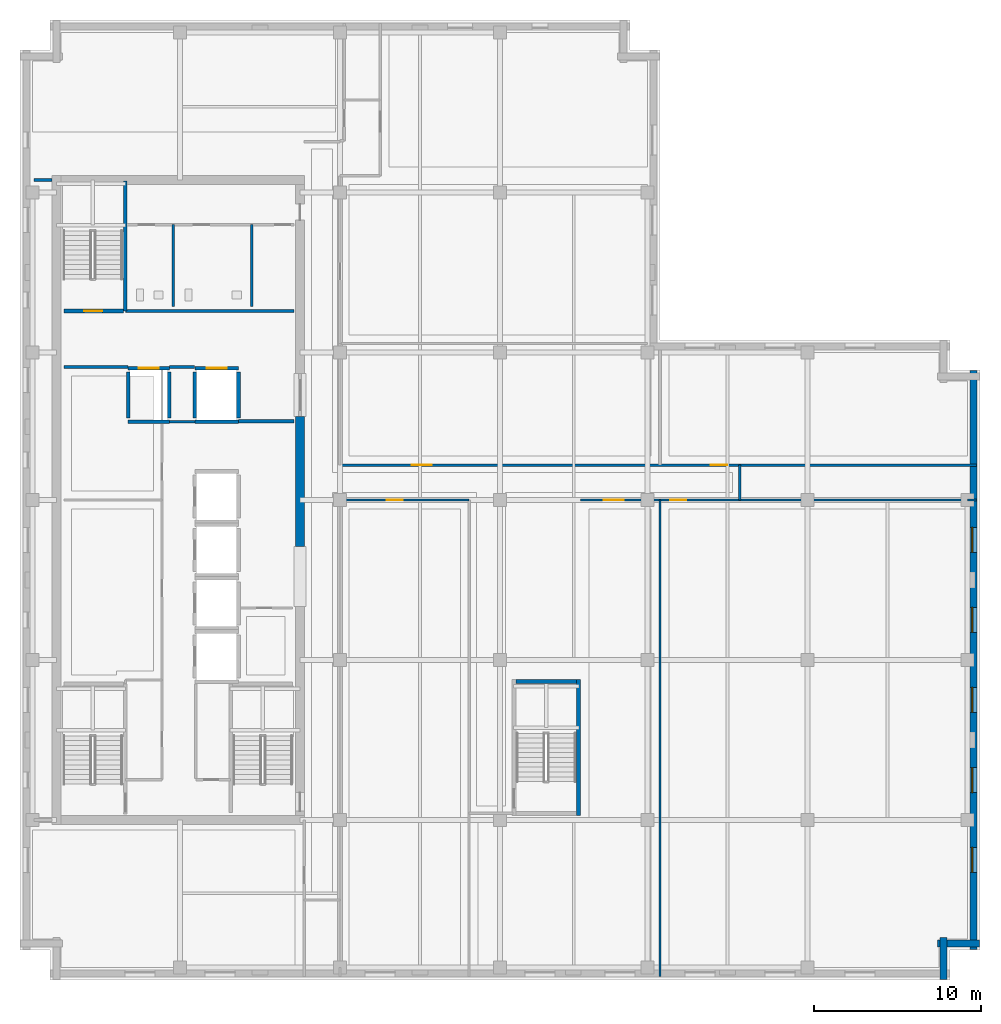
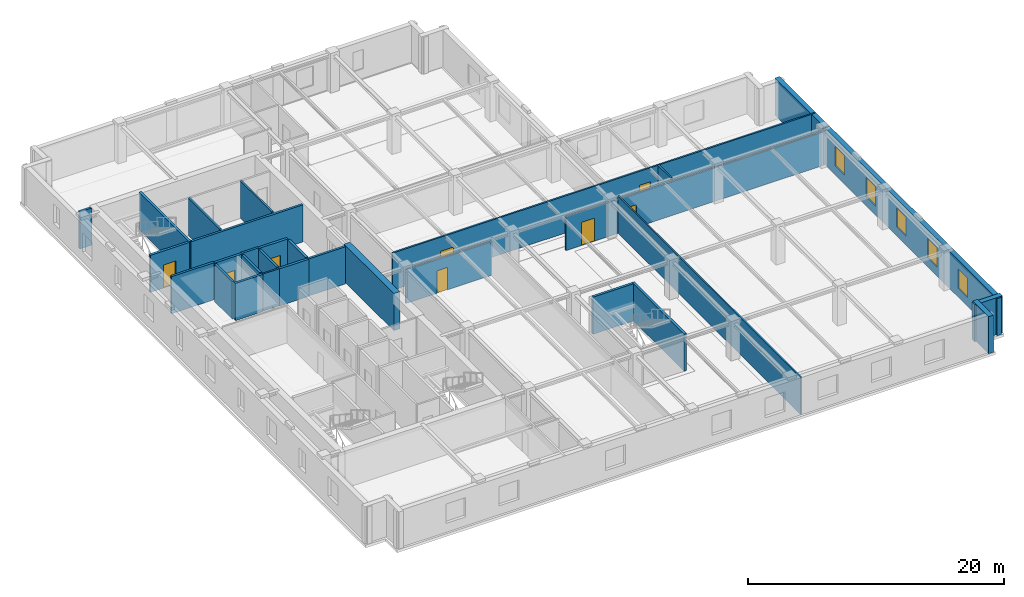
# One storey, part 5 of 12: 30 walls, 8 doors, 5 windows, 13 openings.
"""IFC4 building model written with IfcOpenShell, lengths in metres."""

from ifc_helpers import new_model, si_unit, direction, frame, frame_2d, origin, place, context, subcontext, project, spatial, rectangle, extrude, material, layer, layer_set, type_object, element, fill, save


model = new_model("IFC4")

# Units and contexts
model_context = context("Model", 3, precision=1e-05, world=origin(), true_north=direction((0.0, 1.0)))
body_context = subcontext(model_context, "Body", "Model", "MODEL_VIEW")
ifc_project = project(units=[si_unit("LENGTHUNIT", "METRE"), si_unit("AREAUNIT", "SQUARE_METRE"), si_unit("VOLUMEUNIT", "CUBIC_METRE"), si_unit("PLANEANGLEUNIT", "RADIAN"), si_unit("MASSUNIT", "GRAM", prefix="KILO")], contexts=[model_context])

# Site, building, storey
site_placement = place(None, origin())
site = spatial("IfcSite", under=ifc_project, at=site_placement, CompositionType="ELEMENT")
building_placement = place(site_placement, origin())
building = spatial("IfcBuilding", under=site, at=building_placement, Name="Norrvale University Quadrangle", CompositionType="ELEMENT")
storey_placement = place(building_placement, frame((0.0, 0.0, 240.800048828125)))
storey = spatial("IfcBuildingStorey", under=building, at=storey_placement, Name="L61", CompositionType="ELEMENT", Elevation=240.800048828125)

# Walls
ifc_material_1 = material(Name="Buff Norman Clay Brick Masonry", Category="masonry")
ifc_layer_1 = layer(ifc_material_1, 0.419921875, Name="Buff Norman Clay Brick Masonry")
ifc_layer_set_1 = layer_set([ifc_layer_1], Name="Buff Norman Clay Brick Masonry")
wall_type_1 = type_object("IfcWallType", Name="Wall Buff Brick 420", PredefinedType="SOLIDWALL", material=ifc_layer_set_1)
for number, where, z_axis, x_axis, name in (
    (1, (55.409912109375, 0.0400390625, 0.0), (0.0, 0.0, 1.0), (0.0, 1.0, 0.0), "Exterior Brick Facade Wall L61-02.1"),
    (2, (55.06005859375, 2.18994140625, 0.0), (0.0, 0.0, 1.0), (1.0, 0.0, 0.0), "Exterior Brick Facade Wall L61-03.1"),
):
    element("IfcWall", number, at=place(storey_placement, frame(where, z_axis=z_axis, x_axis=x_axis)), inside=storey, type_object=wall_type_1, Name=name, PredefinedType="SOLIDWALL", context=body_context, shape_type="SweptSolid", body=[
        extrude(rectangle(XDim=2.5, YDim=0.419921875, at=frame_2d((1.25, 0.0))), origin(), (0.0, 0.0, 1.0), 3.5400390625),
    ])

# Wall, openings, windows
wall_1_placement = place(storey_placement, frame((57.2099609375, 1.840087890625, 0.0), z_axis=(0.0, 0.0, 1.0), x_axis=(0.0, 1.0, 0.0)))
wall_1 = element("IfcWall", 3, at=wall_1_placement, inside=storey, type_object=wall_type_1, Name="Exterior Brick Facade Wall L61-04.1", PredefinedType="SOLIDWALL", context=body_context, shape_type="SweptSolid", body=[
    extrude(rectangle(XDim=34.719970703125, YDim=0.419921875, at=frame_2d((17.35986328125, 0.0))), origin(), (0.0, 0.0, 1.0), 3.5400390625),
])
opening_1_placement = place(wall_1_placement, frame((4.610107421875, 0.0, 0.85009765625)))
opening_1 = element("IfcOpeningElement", 4, at=opening_1_placement, cuts=wall_1, Name="Opening W03", PredefinedType="OPENING", context=body_context, shape_type="SweptSolid", body=[
    extrude(rectangle(XDim=1.5, YDim=1.85009765625, at=frame_2d((0.75, 0.925048828125))), frame((0.0, 0.221923828125, 0.0), z_axis=(0.0, -1.0, 0.0), x_axis=(1.0, 0.0, 0.0)), (0.0, 0.0, 1.0), 0.44384765625),
])
opening_2_placement = place(wall_1_placement, frame((9.409912109375, 0.0, 0.85009765625)))
opening_2 = element("IfcOpeningElement", 5, at=opening_2_placement, cuts=wall_1, Name="Opening W03", PredefinedType="OPENING", context=body_context, shape_type="SweptSolid", body=[
    extrude(rectangle(XDim=1.5, YDim=1.85009765625, at=frame_2d((0.75, 0.925048828125))), frame((0.0, 0.221923828125, 0.0), z_axis=(0.0, -1.0, 0.0), x_axis=(1.0, 0.0, 0.0)), (0.0, 0.0, 1.0), 0.44384765625),
])
opening_3_placement = place(wall_1_placement, frame((14.2099609375, 0.0, 0.85009765625)))
opening_3 = element("IfcOpeningElement", 6, at=opening_3_placement, cuts=wall_1, Name="Opening W03", PredefinedType="OPENING", context=body_context, shape_type="SweptSolid", body=[
    extrude(rectangle(XDim=1.5, YDim=1.85009765625, at=frame_2d((0.75, 0.925048828125))), frame((0.0, 0.221923828125, 0.0), z_axis=(0.0, -1.0, 0.0), x_axis=(1.0, 0.0, 0.0)), (0.0, 0.0, 1.0), 0.44384765625),
])
opening_4_placement = place(wall_1_placement, frame((19.010009765625, 0.0, 0.85009765625)))
opening_4 = element("IfcOpeningElement", 7, at=opening_4_placement, cuts=wall_1, Name="Opening W03", PredefinedType="OPENING", context=body_context, shape_type="SweptSolid", body=[
    extrude(rectangle(XDim=1.5, YDim=1.85009765625, at=frame_2d((0.75, 0.925048828125))), frame((0.0, 0.221923828125, 0.0), z_axis=(0.0, -1.0, 0.0), x_axis=(1.0, 0.0, 0.0)), (0.0, 0.0, 1.0), 0.44384765625),
])
opening_5_placement = place(wall_1_placement, frame((23.81005859375, 0.0, 0.85009765625)))
opening_5 = element("IfcOpeningElement", 8, at=opening_5_placement, cuts=wall_1, Name="Opening W03", PredefinedType="OPENING", context=body_context, shape_type="SweptSolid", body=[
    extrude(rectangle(XDim=1.5, YDim=1.85009765625, at=frame_2d((0.75, 0.925048828125))), frame((0.0, 0.221923828125, 0.0), z_axis=(0.0, -1.0, 0.0), x_axis=(1.0, 0.0, 0.0)), (0.0, 0.0, 1.0), 0.44384765625),
])
ifc_material_2 = material(Name="Triple Low-E Argon Glazing", Category="glass")
window_type = type_object("IfcWindowType", Name="Window Studio 1500x2300", PartitioningType="DOUBLE_PANEL_VERTICAL", PredefinedType="WINDOW", material=ifc_material_2)
window_1_placement = place(opening_1_placement, origin())
window_1 = element("IfcWindow", 9, at=window_1_placement, inside=storey, type_object=window_type, Name="Window Studio 1500x2300 WIN-L61-E04-1-01", OverallHeight=1.85009765625, OverallWidth=1.5, PartitioningType="DOUBLE_PANEL_VERTICAL", PredefinedType="WINDOW", context=body_context, shape_type="SweptSolid", body=[
    extrude(rectangle(XDim=1.5, YDim=1.85009765625, at=frame_2d((0.75, 0.925048828125))), frame((0.0, 0.110107421875, 0.0), z_axis=(0.0, -1.0, 0.0), x_axis=(1.0, 0.0, 0.0)), (0.0, 0.0, 1.0), 0.06005859375),
])
fill(opening_1, window_1)
window_2_placement = place(opening_2_placement, origin())
window_2 = element("IfcWindow", 10, at=window_2_placement, inside=storey, type_object=window_type, Name="Window Studio 1500x2300 WIN-L61-E04-1-02", OverallHeight=1.85009765625, OverallWidth=1.5, PartitioningType="DOUBLE_PANEL_VERTICAL", PredefinedType="WINDOW", context=body_context, shape_type="SweptSolid", body=[
    extrude(rectangle(XDim=1.5, YDim=1.85009765625, at=frame_2d((0.75, 0.925048828125))), frame((0.0, 0.110107421875, 0.0), z_axis=(0.0, -1.0, 0.0), x_axis=(1.0, 0.0, 0.0)), (0.0, 0.0, 1.0), 0.06005859375),
])
fill(opening_2, window_2)
window_3_placement = place(opening_3_placement, origin())
window_3 = element("IfcWindow", 11, at=window_3_placement, inside=storey, type_object=window_type, Name="Window Studio 1500x2300 WIN-L61-E04-1-03", OverallHeight=1.85009765625, OverallWidth=1.5, PartitioningType="DOUBLE_PANEL_VERTICAL", PredefinedType="WINDOW", context=body_context, shape_type="SweptSolid", body=[
    extrude(rectangle(XDim=1.5, YDim=1.85009765625, at=frame_2d((0.75, 0.925048828125))), frame((0.0, 0.110107421875, 0.0), z_axis=(0.0, -1.0, 0.0), x_axis=(1.0, 0.0, 0.0)), (0.0, 0.0, 1.0), 0.06005859375),
])
fill(opening_3, window_3)
window_4_placement = place(opening_4_placement, origin())
window_4 = element("IfcWindow", 12, at=window_4_placement, inside=storey, type_object=window_type, Name="Window Studio 1500x2300 WIN-L61-E04-1-04", OverallHeight=1.85009765625, OverallWidth=1.5, PartitioningType="DOUBLE_PANEL_VERTICAL", PredefinedType="WINDOW", context=body_context, shape_type="SweptSolid", body=[
    extrude(rectangle(XDim=1.5, YDim=1.85009765625, at=frame_2d((0.75, 0.925048828125))), frame((0.0, 0.110107421875, 0.0), z_axis=(0.0, -1.0, 0.0), x_axis=(1.0, 0.0, 0.0)), (0.0, 0.0, 1.0), 0.06005859375),
])
fill(opening_4, window_4)
window_5_placement = place(opening_5_placement, origin())
window_5 = element("IfcWindow", 13, at=window_5_placement, inside=storey, type_object=window_type, Name="Window Studio 1500x2300 WIN-L61-E04-1-05", OverallHeight=1.85009765625, OverallWidth=1.5, PartitioningType="DOUBLE_PANEL_VERTICAL", PredefinedType="WINDOW", context=body_context, shape_type="SweptSolid", body=[
    extrude(rectangle(XDim=1.5, YDim=1.85009765625, at=frame_2d((0.75, 0.925048828125))), frame((0.0, 0.110107421875, 0.0), z_axis=(0.0, -1.0, 0.0), x_axis=(1.0, 0.0, 0.0)), (0.0, 0.0, 1.0), 0.06005859375),
])
fill(opening_5, window_5)

# Walls
ifc_material_3 = material(Name="Concrete C60/75", Category="concrete")
ifc_layer_2 = layer(ifc_material_3, 0.550048828125, Name="Concrete C60/75")
ifc_layer_set_2 = layer_set([ifc_layer_2], Name="Concrete C60/75")
wall_type_2 = type_object("IfcWallType", Name="Wall Core 550", PredefinedType="SHEAR", material=ifc_layer_set_2)
wall_2_placement = place(storey_placement, frame((16.800048828125, 26.0, 0.0), z_axis=(0.0, 0.0, 1.0), x_axis=(0.0, 1.0, 0.0)))
element("IfcWall", 14, at=wall_2_placement, inside=storey, type_object=wall_type_2, Name="Tower Core Shear Wall L61-E2", PredefinedType="SHEAR", context=body_context, shape_type="SweptSolid", body=[
    extrude(rectangle(XDim=7.800048828125, YDim=0.550048828125, at=frame_2d((3.89990234375, 0.0))), origin(), (0.0, 0.0, 1.0), 3.5400390625),
])
ifc_material_4 = material(Name="Standard Academic Gypsum Partition")
ifc_layer_3 = layer(ifc_material_4, 0.125, Name="Standard Academic Gypsum Partition")
ifc_layer_set_3 = layer_set([ifc_layer_3], Name="Standard Academic Gypsum Partition")
wall_type_3 = type_object("IfcWallType", Name="Wall Gypsum Academic 125", PredefinedType="PARTITIONING", material=ifc_layer_set_3)
wall_3_placement = place(storey_placement, frame((38.39990234375, 0.219970703125, 0.0), z_axis=(0.0, 0.0, 1.0), x_axis=(0.0, 1.0, 0.0)))
element("IfcWall", 15, at=wall_3_placement, inside=storey, type_object=wall_type_3, Name="Interior Partition WL-L61-SEP2", PredefinedType="PARTITIONING", context=body_context, shape_type="SweptSolid", body=[
    extrude(rectangle(XDim=28.580078125, YDim=0.125, at=frame_2d((14.2900390625, 0.0))), origin(), (0.0, 0.0, 1.0), 3.5400390625),
])
ifc_material_5 = material(Name="Fire-Rated Gypsum Stud Partition")
ifc_layer_4 = layer(ifc_material_5, 0.14990234375, Name="Fire-Rated Gypsum Stud Partition")
ifc_layer_set_4 = layer_set([ifc_layer_4], Name="Fire-Rated Gypsum Stud Partition")
wall_type_4 = type_object("IfcWallType", Name="Wall Gypsum Corridor 150", PredefinedType="PARTITIONING", material=ifc_layer_set_4)
wall_4_placement = place(storey_placement, frame((8.965087890625, 33.489990234375, 0.0), z_axis=(0.0, 0.0, 1.0), x_axis=(1.0, 0.0, 0.0)))
element("IfcWall", 16, at=wall_4_placement, inside=storey, type_object=wall_type_4, Name="Interior Partition WL-L61-LL3", PredefinedType="PARTITIONING", context=body_context, shape_type="SweptSolid", body=[
    extrude(rectangle(XDim=1.52001953125, YDim=0.14990234375, at=frame_2d((0.760009765625, 0.0))), origin(), (0.0, 0.0, 1.0), 3.5400390625),
])
wall_5_placement = place(storey_placement, frame((43.199951171875, 28.800048828125, 0.0), z_axis=(0.0, 0.0, 1.0), x_axis=(0.0, 1.0, 0.0)))
element("IfcWall", 17, at=wall_5_placement, inside=storey, type_object=wall_type_4, Name="Interior Partition WL-L61-CESP-E", PredefinedType="PARTITIONING", context=body_context, shape_type="SweptSolid", body=[
    extrude(rectangle(XDim=2.099853515625, YDim=0.14990234375, at=frame_2d((1.0498046875, 0.0))), origin(), (0.0, 0.0, 1.0), 3.5400390625),
])

# Wall, opening, door
wall_6_placement = place(storey_placement, frame((19.199951171875, 28.800048828125, 0.0), z_axis=(0.0, 0.0, 1.0), x_axis=(1.0, 0.0, 0.0)))
wall_6 = element("IfcWall", 18, at=wall_6_placement, inside=storey, type_object=wall_type_4, Name="Interior Partition WL-L61-SEW1", PredefinedType="PARTITIONING", context=body_context, shape_type="SweptSolid", body=[
    extrude(rectangle(XDim=7.75, YDim=0.14990234375, at=frame_2d((3.875, 0.0))), origin(), (0.0, 0.0, 1.0), 3.23193359375),
])
opening_6_placement = place(wall_6_placement, frame((2.800048828125, 0.0, 0.0)))
opening_6 = element("IfcOpeningElement", 19, at=opening_6_placement, cuts=wall_6, Name="Opening D07", PredefinedType="OPENING", context=body_context, shape_type="SweptSolid", body=[
    extrude(rectangle(XDim=0.949951171875, YDim=2.14990234375, at=frame_2d((0.47509765625, 1.074951171875))), frame((0.0, 0.0869140625, 0.0), z_axis=(0.0, -1.0, 0.0), x_axis=(1.0, 0.0, 0.0)), (0.0, 0.0, 1.0), 0.173828125),
])
ifc_material_6 = material(Name="Solid-Core Maple Door", Category="wood")
door_type_1 = type_object("IfcDoorType", Name="Door Office 950x2150", OperationType="NOTDEFINED", PredefinedType="DOOR", material=ifc_material_6)
door_1_placement = place(opening_6_placement, origin())
door_1 = element("IfcDoor", 20, at=door_1_placement, inside=storey, type_object=door_type_1, Name="Door Office 950x2150 DR-L61-SE1", OperationType="SINGLE_SWING_LEFT", OverallHeight=2.14990234375, OverallWidth=0.949951171875, PredefinedType="DOOR", context=body_context, shape_type="SweptSolid", body=[
    extrude(rectangle(XDim=0.949951171875, YDim=2.14990234375, at=frame_2d((0.47509765625, 1.074951171875))), frame((0.0, 0.02490234375, 0.0), z_axis=(0.0, -1.0, 0.0), x_axis=(1.0, 0.0, 0.0)), (0.0, 0.0, 1.0), 0.050048828125),
])
fill(opening_6, door_1)

# Wall, openings, doors
wall_7_placement = place(storey_placement, frame((33.6201171875, 28.800048828125, 0.0), z_axis=(0.0, 0.0, 1.0), x_axis=(1.0, 0.0, 0.0)))
wall_7 = element("IfcWall", 21, at=wall_7_placement, inside=storey, type_object=wall_type_4, Name="Interior Partition WL-L61-SEW2", PredefinedType="PARTITIONING", context=body_context, shape_type="SweptSolid", body=[
    extrude(rectangle(XDim=23.22998046875, YDim=0.14990234375, at=frame_2d((11.614990234375, 0.0))), origin(), (0.0, 0.0, 1.0), 3.23193359375),
])
opening_7_placement = place(wall_7_placement, frame((1.39990234375, 0.0, 0.0)))
opening_7 = element("IfcOpeningElement", 22, at=opening_7_placement, cuts=wall_7, Name="Opening D05", PredefinedType="OPENING", context=body_context, shape_type="SweptSolid", body=[
    extrude(rectangle(XDim=1.199951171875, YDim=2.199951171875, at=frame_2d((0.60009765625, 1.10009765625))), frame((0.0, 0.0869140625, 0.0), z_axis=(0.0, -1.0, 0.0), x_axis=(1.0, 0.0, 0.0)), (0.0, 0.0, 1.0), 0.173828125),
])
opening_8_placement = place(wall_7_placement, frame((5.39990234375, 0.0, 0.0)))
opening_8 = element("IfcOpeningElement", 23, at=opening_8_placement, cuts=wall_7, Name="Opening D07", PredefinedType="OPENING", context=body_context, shape_type="SweptSolid", body=[
    extrude(rectangle(XDim=0.949951171875, YDim=2.14990234375, at=frame_2d((0.47509765625, 1.074951171875))), frame((0.0, 0.0869140625, 0.0), z_axis=(0.0, -1.0, 0.0), x_axis=(1.0, 0.0, 0.0)), (0.0, 0.0, 1.0), 0.173828125),
])
ifc_material_7 = material(Name="Acoustic Oak Classroom Door", Category="wood")
door_type_2 = type_object("IfcDoorType", Name="Door Classroom 1200x2200", OperationType="NOTDEFINED", PredefinedType="DOOR", material=ifc_material_7)
door_2_placement = place(opening_7_placement, origin())
door_2 = element("IfcDoor", 24, at=door_2_placement, inside=storey, type_object=door_type_2, Name="Door Classroom 1200x2200 DR-L61-SE2", OperationType="SINGLE_SWING_RIGHT", OverallHeight=2.199951171875, OverallWidth=1.199951171875, PredefinedType="DOOR", context=body_context, shape_type="SweptSolid", body=[
    extrude(rectangle(XDim=1.199951171875, YDim=2.199951171875, at=frame_2d((0.60009765625, 1.10009765625))), frame((0.0, 0.02490234375, 0.0), z_axis=(0.0, -1.0, 0.0), x_axis=(1.0, 0.0, 0.0)), (0.0, 0.0, 1.0), 0.050048828125),
])
fill(opening_7, door_2)
door_3_placement = place(opening_8_placement, origin())
door_3 = element("IfcDoor", 25, at=door_3_placement, inside=storey, type_object=door_type_1, Name="Door Office 950x2150 DR-L61-SE3", OperationType="SINGLE_SWING_LEFT", OverallHeight=2.14990234375, OverallWidth=0.949951171875, PredefinedType="DOOR", context=body_context, shape_type="SweptSolid", body=[
    extrude(rectangle(XDim=0.949951171875, YDim=2.14990234375, at=frame_2d((0.47509765625, 1.074951171875))), frame((0.0, 0.02490234375, 0.0), z_axis=(0.0, -1.0, 0.0), x_axis=(1.0, 0.0, 0.0)), (0.0, 0.0, 1.0), 0.050048828125),
])
fill(opening_8, door_3)

# Wall
wall_8_placement = place(storey_placement, frame((56.85009765625, 28.800048828125, 0.0), z_axis=(0.0, 0.0, 1.0), x_axis=(1.0, 0.0, 0.0)))
element("IfcWall", 26, at=wall_8_placement, inside=storey, type_object=wall_type_4, Name="Interior Partition WL-L61-SEW2-B2", PredefinedType="PARTITIONING", context=body_context, shape_type="SweptSolid", body=[
    extrude(rectangle(XDim=0.52978515625, YDim=0.14990234375, at=frame_2d((0.264892578125, 0.0))), origin(), (0.0, 0.0, 1.0), 3.5400390625),
])

# Wall, openings, doors
wall_9_placement = place(storey_placement, frame((19.199951171875, 30.89990234375, 0.0), z_axis=(0.0, 0.0, 1.0), x_axis=(1.0, 0.0, 0.0)))
wall_9 = element("IfcWall", 27, at=wall_9_placement, inside=storey, type_object=wall_type_4, Name="Interior Partition WL-L61-MECW", PredefinedType="PARTITIONING", context=body_context, shape_type="SweptSolid", body=[
    extrude(rectangle(XDim=38.179931640625, YDim=0.14990234375, at=frame_2d((19.08984375, 0.0))), origin(), (0.0, 0.0, 1.0), 3.5400390625),
])
opening_9_placement = place(wall_9_placement, frame((4.300048828125, 0.0, 0.0)))
opening_9 = element("IfcOpeningElement", 28, at=opening_9_placement, cuts=wall_9, Name="Opening D05", PredefinedType="OPENING", context=body_context, shape_type="SweptSolid", body=[
    extrude(rectangle(XDim=1.199951171875, YDim=2.199951171875, at=frame_2d((0.60009765625, 1.10009765625))), frame((0.0, 0.0869140625, 0.0), z_axis=(0.0, -1.0, 0.0), x_axis=(1.0, 0.0, 0.0)), (0.0, 0.0, 1.0), 0.173828125),
])
opening_10_placement = place(wall_9_placement, frame((22.25, 0.0, 0.0)))
opening_10 = element("IfcOpeningElement", 29, at=opening_10_placement, cuts=wall_9, Name="Opening D04", PredefinedType="OPENING", context=body_context, shape_type="SweptSolid", body=[
    extrude(rectangle(XDim=1.0, YDim=2.199951171875, at=frame_2d((0.5, 1.10009765625))), frame((0.0, 0.0869140625, 0.0), z_axis=(0.0, -1.0, 0.0), x_axis=(1.0, 0.0, 0.0)), (0.0, 0.0, 1.0), 0.173828125),
])
door_4_placement = place(opening_9_placement, origin())
door_4 = element("IfcDoor", 30, at=door_4_placement, inside=storey, type_object=door_type_2, Name="Door Classroom 1200x2200 DR-L61-ME01", OperationType="SINGLE_SWING_LEFT", OverallHeight=2.199951171875, OverallWidth=1.199951171875, PredefinedType="DOOR", context=body_context, shape_type="SweptSolid", body=[
    extrude(rectangle(XDim=1.199951171875, YDim=2.199951171875, at=frame_2d((0.60009765625, 1.10009765625))), frame((0.0, 0.02490234375, 0.0), z_axis=(0.0, -1.0, 0.0), x_axis=(1.0, 0.0, 0.0)), (0.0, 0.0, 1.0), 0.050048828125),
])
fill(opening_9, door_4)
ifc_material_8 = material(Name="Solid-Core Oak Fire Door", Category="wood")
door_type_3 = type_object("IfcDoorType", Name="Door Corridor 1000x2200", OperationType="NOTDEFINED", PredefinedType="DOOR", material=ifc_material_8)
door_5_placement = place(opening_10_placement, origin())
door_5 = element("IfcDoor", 31, at=door_5_placement, inside=storey, type_object=door_type_3, Name="Door Corridor 1000x2200 DR-L61-ME02", OperationType="SINGLE_SWING_RIGHT", OverallHeight=2.199951171875, OverallWidth=1.0, PredefinedType="DOOR", context=body_context, shape_type="SweptSolid", body=[
    extrude(rectangle(XDim=1.0, YDim=2.199951171875, at=frame_2d((0.5, 1.10009765625))), frame((0.0, 0.02490234375, 0.0), z_axis=(0.0, -1.0, 0.0), x_axis=(1.0, 0.0, 0.0)), (0.0, 0.0, 1.0), 0.050048828125),
])
fill(opening_10, door_5)

# Walls
ifc_material_9 = material(Name="Sanitary Chase Gypsum Partition")
ifc_layer_5 = layer(ifc_material_9, 0.1650390625, Name="Sanitary Chase Gypsum Partition")
ifc_layer_set_5 = layer_set([ifc_layer_5], Name="Sanitary Chase Gypsum Partition")
wall_type_5 = type_object("IfcWallType", Name="Wall Gypsum Sanitary 165", PredefinedType="PLUMBINGWALL", material=ifc_layer_set_5)
for number, where, z_axis, x_axis, name in (
    (32, (9.199951171875, 40.39990234375, 0.0), (0.0, 0.0, 1.0), (0.0, 1.0, 0.0), "Interior Partition WL-L61-WCM1"),
    (33, (13.89990234375, 40.39990234375, 0.0), (0.0, 0.0, 1.0), (0.0, 1.0, 0.0), "Interior Partition WL-L61-WCM2"),
):
    element("IfcWall", number, at=place(storey_placement, frame(where, z_axis=z_axis, x_axis=x_axis)), inside=storey, type_object=wall_type_5, Name=name, PredefinedType="PLUMBINGWALL", context=body_context, shape_type="SweptSolid", body=[
        extrude(rectangle(XDim=4.920166015625, YDim=0.1650390625, at=frame_2d((2.4599609375, 0.0))), origin(), (0.0, 0.0, 1.0), 3.5400390625),
    ])
ifc_material_10 = material(Name="Concrete Blockwork 20 MPa Rated Wall", Category="masonry")
ifc_layer_6 = layer(ifc_material_10, 0.199951171875, Name="Concrete Blockwork 20 MPa Rated Wall")
ifc_layer_set_6 = layer_set([ifc_layer_6], Name="Concrete Blockwork 20 MPa Rated Wall")
wall_type_6 = type_object("IfcWallType", Name="Wall Lobby 200", PredefinedType="SOLIDWALL", material=ifc_layer_set_6)
wall_10_placement = place(storey_placement, frame((2.64990234375, 36.780029296875, 0.0), z_axis=(0.0, 0.0, 1.0), x_axis=(1.0, 0.0, 0.0)))
element("IfcWall", 34, at=wall_10_placement, inside=storey, type_object=wall_type_6, Name="Interior Partition WL-L61-FF1", PredefinedType="SOLIDWALL", context=body_context, shape_type="SweptSolid", body=[
    extrude(rectangle(XDim=3.830078125, YDim=0.199951171875, at=frame_2d((1.9150390625, 0.0))), origin(), (0.0, 0.0, 1.0), 3.5400390625),
])
wall_11_placement = place(storey_placement, frame((8.969970703125, 36.780029296875, 0.0), z_axis=(0.0, 0.0, 1.0), x_axis=(1.0, 0.0, 0.0)))
element("IfcWall", 35, at=wall_11_placement, inside=storey, type_object=wall_type_6, Name="Interior Partition WL-L61-FF2", PredefinedType="SOLIDWALL", context=body_context, shape_type="SweptSolid", body=[
    extrude(rectangle(XDim=1.510009765625, YDim=0.199951171875, at=frame_2d((0.7548828125, 0.0))), origin(), (0.0, 0.0, 1.0), 3.5400390625),
])
wall_12_placement = place(storey_placement, frame((13.1201171875, 33.52001953125, 0.0), z_axis=(0.0, 0.0, 1.0), x_axis=(1.0, 0.0, 0.0)))
element("IfcWall", 36, at=wall_12_placement, inside=storey, type_object=wall_type_6, Name="Interior Partition WL-L61-FF3", PredefinedType="SOLIDWALL", context=body_context, shape_type="SweptSolid", body=[
    extrude(rectangle(XDim=3.329833984375, YDim=0.199951171875, at=frame_2d((1.6650390625, 0.0))), origin(), (0.0, 0.0, 1.0), 3.5400390625),
])
wall_13_placement = place(storey_placement, frame((6.320068359375, 40.139892578125, 0.0), z_axis=(0.0, 0.0, 1.0), x_axis=(1.0, 0.0, 0.0)))
element("IfcWall", 37, at=wall_13_placement, inside=storey, type_object=wall_type_6, Name="Interior Partition WL-L61-FF4", PredefinedType="SOLIDWALL", context=body_context, shape_type="SweptSolid", body=[
    extrude(rectangle(XDim=10.1298828125, YDim=0.199951171875, at=frame_2d((5.06494140625, 0.0))), origin(), (0.0, 0.0, 1.0), 3.5400390625),
])
wall_14_placement = place(storey_placement, frame((0.85009765625, 48.0, 0.0), z_axis=(0.0, 0.0, 1.0), x_axis=(1.0, 0.0, 0.0)))
element("IfcWall", 38, at=wall_14_placement, inside=storey, type_object=wall_type_6, Name="Interior Partition WL-L61-CWRET-N", PredefinedType="SOLIDWALL", context=body_context, shape_type="SweptSolid", body=[
    extrude(rectangle(XDim=1.06982421875, YDim=0.199951171875, at=frame_2d((0.534912109375, 0.0))), origin(), (0.0, 0.0, 1.0), 3.5400390625),
])

# Wall, opening, door
ifc_material_11 = material(Name="Concrete Blockwork 20 MPa Fire Shaft", Category="masonry")
ifc_layer_7 = layer(ifc_material_11, 0.219970703125, Name="Concrete Blockwork 20 MPa Fire Shaft")
ifc_layer_set_7 = layer_set([ifc_layer_7], Name="Concrete Blockwork 20 MPa Fire Shaft")
wall_type_7 = type_object("IfcWallType", Name="Wall Shaft 220", PredefinedType="SOLIDWALL", material=ifc_layer_set_7)
wall_15_placement = place(storey_placement, frame((2.64990234375, 40.139892578125, 0.0), z_axis=(0.0, 0.0, 1.0), x_axis=(1.0, 0.0, 0.0)))
wall_15 = element("IfcWall", 39, at=wall_15_placement, inside=storey, type_object=wall_type_7, Name="Stair ST-02 South Shaft Wall L61", PredefinedType="SOLIDWALL", context=body_context, shape_type="SweptSolid", body=[
    extrude(rectangle(XDim=3.550048828125, YDim=0.219970703125, at=frame_2d((1.77490234375, 0.0))), origin(), (0.0, 0.0, 1.0), 3.5400390625),
])
opening_11_placement = place(wall_15_placement, frame((1.199951171875, 0.0, 0.0)))
opening_11 = element("IfcOpeningElement", 40, at=opening_11_placement, cuts=wall_15, Name="Opening D02", PredefinedType="OPENING", context=body_context, shape_type="SweptSolid", body=[
    extrude(rectangle(XDim=1.10009765625, YDim=2.199951171875, at=frame_2d((0.550048828125, 1.10009765625))), frame((0.0, 0.1220703125, 0.0), z_axis=(0.0, -1.0, 0.0), x_axis=(1.0, 0.0, 0.0)), (0.0, 0.0, 1.0), 0.243896484375),
])
ifc_material_12 = material(Name="Hollow Steel 350W Fire Door", Category="steel")
door_type_4 = type_object("IfcDoorType", Name="Door Stair Exit 1100x2200", OperationType="NOTDEFINED", PredefinedType="DOOR", material=ifc_material_12)
door_6_placement = place(opening_11_placement, origin())
door_6 = element("IfcDoor", 41, at=door_6_placement, inside=storey, type_object=door_type_4, Name="Door Stair Exit 1100x2200 DR-L61-ST02", OperationType="SINGLE_SWING_LEFT", OverallHeight=2.199951171875, OverallWidth=1.10009765625, PredefinedType="DOOR", context=body_context, shape_type="SweptSolid", body=[
    extrude(rectangle(XDim=1.10009765625, YDim=2.199951171875, at=frame_2d((0.550048828125, 1.10009765625))), frame((0.0, 0.02490234375, 0.0), z_axis=(0.0, -1.0, 0.0), x_axis=(1.0, 0.0, 0.0)), (0.0, 0.0, 1.0), 0.050048828125),
])
fill(opening_11, door_6)

# Walls
wall_16_placement = place(storey_placement, frame((6.31005859375, 40.139892578125, 0.0), z_axis=(0.0, 0.0, 1.0), x_axis=(0.0, 1.0, 0.0)))
element("IfcWall", 42, at=wall_16_placement, inside=storey, type_object=wall_type_7, Name="Stair ST-02 East Shaft Wall L61", PredefinedType="SOLIDWALL", context=body_context, shape_type="SweptSolid", body=[
    extrude(rectangle(XDim=7.81005859375, YDim=0.219970703125, at=frame_2d((3.905029296875, 0.0))), origin(), (0.0, 0.0, 1.0), 3.5400390625),
])
wall_17_placement = place(storey_placement, frame((33.510009765625, 9.8798828125, 0.0), z_axis=(0.0, 0.0, 1.0), x_axis=(0.0, 1.0, 0.0)))
element("IfcWall", 43, at=wall_17_placement, inside=storey, type_object=wall_type_7, Name="Stair ST-04 East Shaft Wall L61", PredefinedType="SOLIDWALL", context=body_context, shape_type="SweptSolid", body=[
    extrude(rectangle(XDim=8.14013671875, YDim=0.219970703125, at=frame_2d((4.070068359375, 0.0))), origin(), (0.0, 0.0, 1.0), 3.5400390625),
])
wall_18_placement = place(storey_placement, frame((29.75, 17.909912109375, 0.0), z_axis=(0.0, 0.0, 1.0), x_axis=(1.0, 0.0, 0.0)))
element("IfcWall", 44, at=wall_18_placement, inside=storey, type_object=wall_type_7, Name="Stair ST-04 North Shaft Wall L61", PredefinedType="SOLIDWALL", context=body_context, shape_type="SweptSolid", body=[
    extrude(rectangle(XDim=3.64990234375, YDim=0.219970703125, at=frame_2d((1.824951171875, 0.0))), origin(), (0.0, 0.0, 1.0), 3.5400390625),
])
for number, where, z_axis, x_axis, name in (
    (45, (6.489990234375, 33.7099609375, 0.0), (0.0, 0.0, 1.0), (0.0, 1.0, 0.0), "Hoistway FFL-01 West Wall L61"),
    (46, (8.9599609375, 33.7099609375, 0.0), (0.0, 0.0, 1.0), (0.0, 1.0, 0.0), "Hoistway FFL-01 East Wall L61"),
):
    element("IfcWall", number, at=place(storey_placement, frame(where, z_axis=z_axis, x_axis=x_axis)), inside=storey, type_object=wall_type_7, Name=name, PredefinedType="SOLIDWALL", context=body_context, shape_type="SweptSolid", body=[
        extrude(rectangle(XDim=2.780029296875, YDim=0.219970703125, at=frame_2d((1.39013671875, 0.0))), origin(), (0.0, 0.0, 1.0), 3.5400390625),
    ])
wall_19_placement = place(storey_placement, frame((6.489990234375, 33.489990234375, 0.0), z_axis=(0.0, 0.0, 1.0), x_axis=(1.0, 0.0, 0.0)))
element("IfcWall", 47, at=wall_19_placement, inside=storey, type_object=wall_type_7, Name="Hoistway FFL-01 South Wall L61", PredefinedType="SOLIDWALL", context=body_context, shape_type="SweptSolid", body=[
    extrude(rectangle(XDim=2.469970703125, YDim=0.219970703125, at=frame_2d((1.23486328125, 0.0))), origin(), (0.0, 0.0, 1.0), 3.5400390625),
])

# Wall, opening, door
wall_20_placement = place(storey_placement, frame((6.489990234375, 36.7099609375, 0.0), z_axis=(0.0, 0.0, 1.0), x_axis=(1.0, 0.0, 0.0)))
wall_20 = element("IfcWall", 48, at=wall_20_placement, inside=storey, type_object=wall_type_7, Name="Hoistway FFL-01 North Wall L61", PredefinedType="SOLIDWALL", context=body_context, shape_type="SweptSolid", body=[
    extrude(rectangle(XDim=2.469970703125, YDim=0.219970703125, at=frame_2d((1.23486328125, 0.0))), origin(), (0.0, 0.0, 1.0), 3.5400390625),
])
opening_12_placement = place(wall_20_placement, frame((0.635009765625, 0.0, 0.0)))
opening_12 = element("IfcOpeningElement", 49, at=opening_12_placement, cuts=wall_20, Name="Opening LD2", PredefinedType="OPENING", context=body_context, shape_type="SweptSolid", body=[
    extrude(rectangle(XDim=1.199951171875, YDim=2.199951171875, at=frame_2d((0.60009765625, 1.10009765625))), frame((0.0, 0.1220703125, 0.0), z_axis=(0.0, -1.0, 0.0), x_axis=(1.0, 0.0, 0.0)), (0.0, 0.0, 1.0), 0.243896484375),
])
ifc_material_13 = material(Name="Stainless Steel 316L Firefighter Lift Door", Category="steel")
door_type_5 = type_object("IfcDoorType", Name="Door Fire Lift 1200x2200", OperationType="DOUBLE_DOOR_SLIDING", PredefinedType="DOOR", material=ifc_material_13)
door_7_placement = place(opening_12_placement, origin())
door_7 = element("IfcDoor", 50, at=door_7_placement, inside=storey, type_object=door_type_5, Name="Elevator Landing Door DR-L61-FFL-01", OperationType="DOUBLE_DOOR_SLIDING", OverallHeight=2.199951171875, OverallWidth=1.199951171875, PredefinedType="DOOR", context=body_context, shape_type="SweptSolid", body=[
    extrude(rectangle(XDim=1.199951171875, YDim=2.199951171875, at=frame_2d((0.60009765625, 1.10009765625))), frame((0.0, 0.02490234375, 0.0), z_axis=(0.0, -1.0, 0.0), x_axis=(1.0, 0.0, 0.0)), (0.0, 0.0, 1.0), 0.050048828125),
])
fill(opening_12, door_7)

# Walls
for number, where, z_axis, x_axis, name in (
    (51, (10.489990234375, 33.7099609375, 0.0), (0.0, 0.0, 1.0), (0.0, 1.0, 0.0), "Hoistway FFL-02 West Wall L61"),
    (52, (13.110107421875, 33.7099609375, 0.0), (0.0, 0.0, 1.0), (0.0, 1.0, 0.0), "Hoistway FFL-02 East Wall L61"),
):
    element("IfcWall", number, at=place(storey_placement, frame(where, z_axis=z_axis, x_axis=x_axis)), inside=storey, type_object=wall_type_7, Name=name, PredefinedType="SOLIDWALL", context=body_context, shape_type="SweptSolid", body=[
        extrude(rectangle(XDim=2.780029296875, YDim=0.219970703125, at=frame_2d((1.39013671875, 0.0))), origin(), (0.0, 0.0, 1.0), 3.5400390625),
    ])
wall_21_placement = place(storey_placement, frame((10.489990234375, 33.489990234375, 0.0), z_axis=(0.0, 0.0, 1.0), x_axis=(1.0, 0.0, 0.0)))
element("IfcWall", 53, at=wall_21_placement, inside=storey, type_object=wall_type_7, Name="Hoistway FFL-02 South Wall L61", PredefinedType="SOLIDWALL", context=body_context, shape_type="SweptSolid", body=[
    extrude(rectangle(XDim=2.6201171875, YDim=0.219970703125, at=frame_2d((1.31005859375, 0.0))), origin(), (0.0, 0.0, 1.0), 3.5400390625),
])

# Wall, opening, door
wall_22_placement = place(storey_placement, frame((10.489990234375, 36.7099609375, 0.0), z_axis=(0.0, 0.0, 1.0), x_axis=(1.0, 0.0, 0.0)))
wall_22 = element("IfcWall", 54, at=wall_22_placement, inside=storey, type_object=wall_type_7, Name="Hoistway FFL-02 North Wall L61", PredefinedType="SOLIDWALL", context=body_context, shape_type="SweptSolid", body=[
    extrude(rectangle(XDim=2.6201171875, YDim=0.219970703125, at=frame_2d((1.31005859375, 0.0))), origin(), (0.0, 0.0, 1.0), 3.5400390625),
])
opening_13_placement = place(wall_22_placement, frame((0.7099609375, 0.0, 0.0)))
opening_13 = element("IfcOpeningElement", 55, at=opening_13_placement, cuts=wall_22, Name="Opening LD2", PredefinedType="OPENING", context=body_context, shape_type="SweptSolid", body=[
    extrude(rectangle(XDim=1.199951171875, YDim=2.199951171875, at=frame_2d((0.60009765625, 1.10009765625))), frame((0.0, 0.1220703125, 0.0), z_axis=(0.0, -1.0, 0.0), x_axis=(1.0, 0.0, 0.0)), (0.0, 0.0, 1.0), 0.243896484375),
])
door_8_placement = place(opening_13_placement, origin())
door_8 = element("IfcDoor", 56, at=door_8_placement, inside=storey, type_object=door_type_5, Name="Elevator Landing Door DR-L61-FFL-02", OperationType="DOUBLE_DOOR_SLIDING", OverallHeight=2.199951171875, OverallWidth=1.199951171875, PredefinedType="DOOR", context=body_context, shape_type="SweptSolid", body=[
    extrude(rectangle(XDim=1.199951171875, YDim=2.199951171875, at=frame_2d((0.60009765625, 1.10009765625))), frame((0.0, 0.02490234375, 0.0), z_axis=(0.0, -1.0, 0.0), x_axis=(1.0, 0.0, 0.0)), (0.0, 0.0, 1.0), 0.050048828125),
])
fill(opening_13, door_8)

save(model, "model.ifc")
